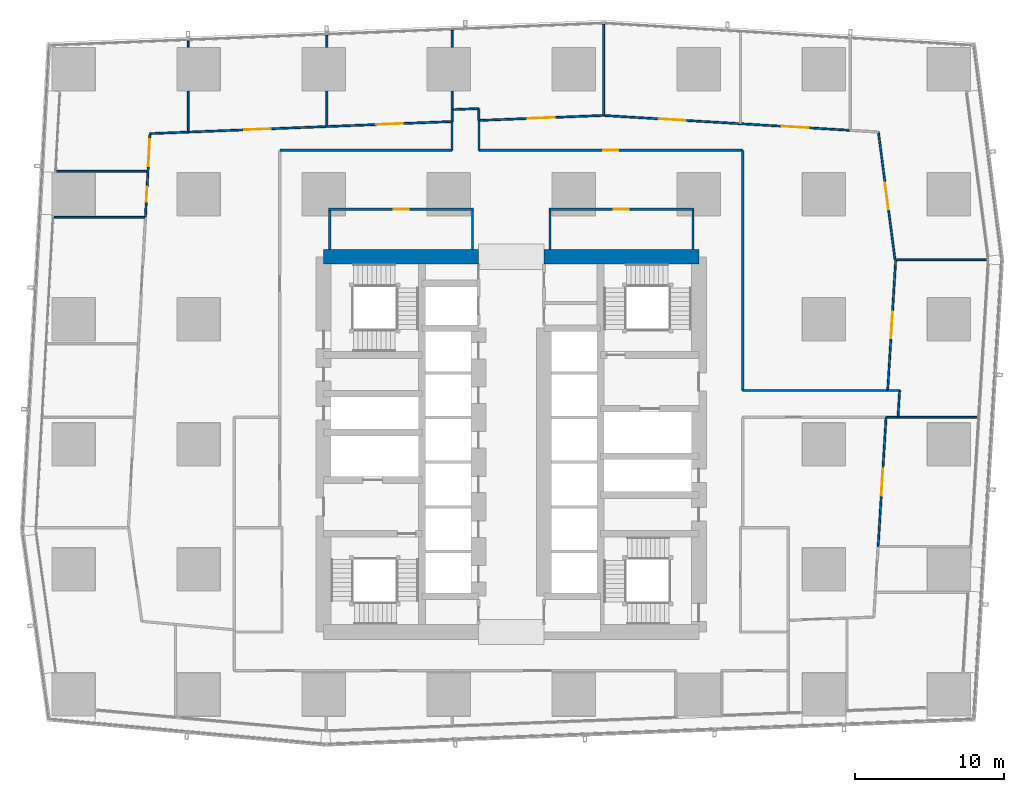
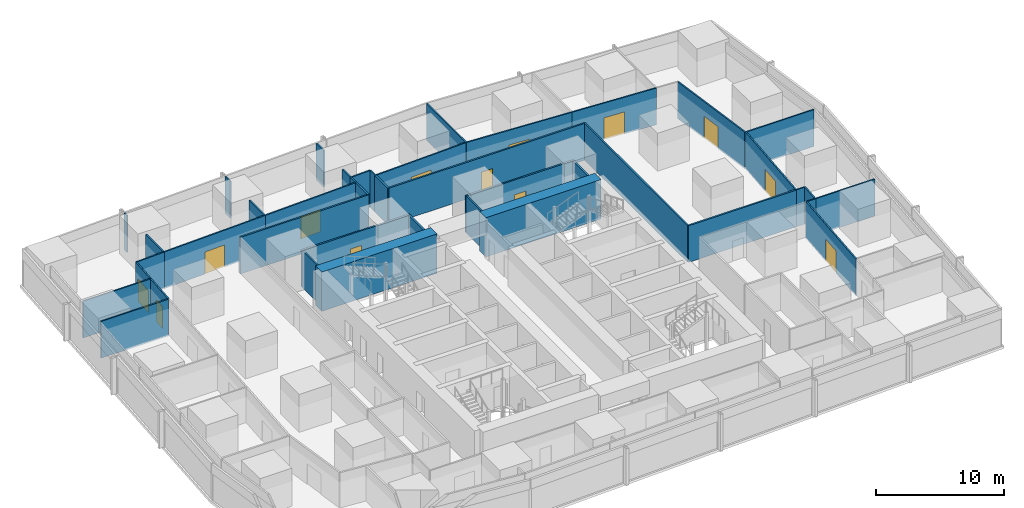
# One storey, part 31 of 40: 42 walls, 13 doors, 13 openings.
"""IFC4 building model written with IfcOpenShell, lengths in metres."""

from ifc_helpers import new_model, si_unit, direction, frame, frame_2d, origin, place, context, subcontext, project, spatial, rectangle, extrude, material, layer, layer_set, type_object, element, fill, save


model = new_model("IFC4")

# Units and contexts
model_context = context("Model", 3, precision=1e-05, world=origin(), true_north=direction((0.0, 1.0)))
body_context = subcontext(model_context, "Body", "Model", "MODEL_VIEW")
ifc_project = project(units=[si_unit("LENGTHUNIT", "METRE"), si_unit("AREAUNIT", "SQUARE_METRE"), si_unit("VOLUMEUNIT", "CUBIC_METRE"), si_unit("PLANEANGLEUNIT", "RADIAN"), si_unit("MASSUNIT", "GRAM", prefix="KILO")], contexts=[model_context])

# Site, building, storey
site_placement = place(None, origin())
site = spatial("IfcSite", under=ifc_project, at=site_placement, CompositionType="ELEMENT")
building_placement = place(site_placement, origin())
building = spatial("IfcBuilding", under=site, at=building_placement, Name="Rekha Terrace Tower", CompositionType="ELEMENT")
storey_placement = place(building_placement, frame((0.0, 0.0, 95.300048828125)))
storey = spatial("IfcBuildingStorey", under=building, at=storey_placement, Name="L23", CompositionType="ELEMENT", Elevation=95.300048828125)

# Walls
ifc_material_1 = material(Name="Concrete M70", Category="concrete")
ifc_layer_1 = layer(ifc_material_1, 1.0)
ifc_layer_set_1 = layer_set([ifc_layer_1], Name="Concrete M70")
wall_type_1 = type_object("IfcWallType", Name="SW2 1000 core outer shear wall", PredefinedType="SHEAR", material=ifc_layer_set_1)
wall_1_placement = place(storey_placement, frame((25.199951171875, 46.199951171875, 0.0), z_axis=(0.0, 0.0, 1.0), x_axis=(1.0, 0.0, 0.0)))
element("IfcWall", 1, at=wall_1_placement, inside=storey, type_object=wall_type_1, Name="Core wall N1 L23", PredefinedType="SHEAR", context=body_context, shape_type="SweptSolid", body=[
    extrude(rectangle(XDim=10.400146484375, YDim=1.0, at=frame_2d((5.2001953125, 0.0))), origin(), (0.0, 0.0, 1.0), 3.75),
])
wall_2_placement = place(storey_placement, frame((40.0, 46.199951171875, 0.0), z_axis=(0.0, 0.0, 1.0), x_axis=(1.0, 0.0, 0.0)))
element("IfcWall", 2, at=wall_2_placement, inside=storey, type_object=wall_type_1, Name="Core wall N2 L23", PredefinedType="SHEAR", context=body_context, shape_type="SweptSolid", body=[
    extrude(rectangle(XDim=10.39990234375, YDim=1.0, at=frame_2d((5.199951171875, 0.0))), origin(), (0.0, 0.0, 1.0), 3.75),
])

# Wall, opening, door
ifc_material_2 = material(Name="Concrete block masonry, 1 hour", Category="masonry")
ifc_layer_2 = layer(ifc_material_2, 0.14990234375)
ifc_layer_set_2 = layer_set([ifc_layer_2], Name="Concrete block masonry, 1 hour")
wall_type_2 = type_object("IfcWallType", Name="WP2 150 tenancy partition", PredefinedType="PARTITIONING", material=ifc_layer_set_2)
wall_3_placement = place(storey_placement, frame((40.324951171875, 49.39990234375, 0.0), z_axis=(0.0, 0.0, 1.0), x_axis=(1.0, 0.0, 0.0)))
wall_3 = element("IfcWall", 3, at=wall_3_placement, inside=storey, type_object=wall_type_2, Name="Women's WC wall L23", PredefinedType="PARTITIONING", context=body_context, shape_type="SweptSolid", body=[
    extrude(rectangle(XDim=9.75, YDim=0.14990234375, at=frame_2d((4.875, 0.0))), origin(), (0.0, 0.0, 1.0), 3.5),
])
opening_1_placement = place(wall_3_placement, frame((4.375, 0.0, 0.0)))
opening_1 = element("IfcOpeningElement", 4, at=opening_1_placement, cuts=wall_3, Name="Opening D3", PredefinedType="OPENING", context=body_context, shape_type="SweptSolid", body=[
    extrude(rectangle(XDim=1.0, YDim=2.10009765625, at=frame_2d((0.5, 1.050048828125))), frame((0.0, 0.0849609375, 0.0), z_axis=(0.0, -1.0, 0.0), x_axis=(1.0, 0.0, 0.0)), (0.0, 0.0, 1.0), 0.169921875),
])
ifc_material_3 = material(Name="Laminated timber fire door", Category="wood")
door_type_1 = type_object("IfcDoorType", Name="D3 1000x2100 WC door", OperationType="SINGLE_SWING_LEFT", PredefinedType="DOOR", material=ifc_material_3)
door_1_placement = place(opening_1_placement, origin())
door_1 = element("IfcDoor", 5, at=door_1_placement, inside=storey, type_object=door_type_1, Name="Door women's wc L23", OperationType="SINGLE_SWING_LEFT", OverallHeight=2.10009765625, OverallWidth=1.0, PredefinedType="DOOR", context=body_context, shape_type="SweptSolid", body=[
    extrude(rectangle(XDim=1.0, YDim=2.10009765625, at=frame_2d((0.5, 1.050048828125))), frame((0.0, 0.02490234375, 0.0), z_axis=(0.0, -1.0, 0.0), x_axis=(1.0, 0.0, 0.0)), (0.0, 0.0, 1.0), 0.050048828125),
])
fill(opening_1, door_1)

# Walls
for number, where, z_axis, x_axis, name in (
    (6, (40.39990234375, 46.699951171875, 0.0), (0.0, 0.0, 1.0), (0.0, 1.0, 0.0), "Women's WC wall L23"),
    (7, (50.0, 46.699951171875, 0.0), (0.0, 0.0, 1.0), (0.0, 1.0, 0.0), "Women's WC wall L23"),
):
    element("IfcWall", number, at=place(storey_placement, frame(where, z_axis=z_axis, x_axis=x_axis)), inside=storey, type_object=wall_type_2, Name=name, PredefinedType="PARTITIONING", context=body_context, shape_type="SweptSolid", body=[
        extrude(rectangle(XDim=2.625, YDim=0.14990234375, at=frame_2d((1.3125, 0.0))), origin(), (0.0, 0.0, 1.0), 3.5),
    ])

# Wall, opening, door
wall_4_placement = place(storey_placement, frame((25.52490234375, 49.39990234375, 0.0), z_axis=(0.0, 0.0, 1.0), x_axis=(1.0, 0.0, 0.0)))
wall_4 = element("IfcWall", 8, at=wall_4_placement, inside=storey, type_object=wall_type_2, Name="Women's WC wall L23", PredefinedType="PARTITIONING", context=body_context, shape_type="SweptSolid", body=[
    extrude(rectangle(XDim=9.75, YDim=0.14990234375, at=frame_2d((4.875, 0.0))), origin(), (0.0, 0.0, 1.0), 3.5),
])
opening_2_placement = place(wall_4_placement, frame((4.375, 0.0, 0.0)))
opening_2 = element("IfcOpeningElement", 9, at=opening_2_placement, cuts=wall_4, Name="Opening D3", PredefinedType="OPENING", context=body_context, shape_type="SweptSolid", body=[
    extrude(rectangle(XDim=1.0, YDim=2.10009765625, at=frame_2d((0.5, 1.050048828125))), frame((0.0, 0.0849609375, 0.0), z_axis=(0.0, -1.0, 0.0), x_axis=(1.0, 0.0, 0.0)), (0.0, 0.0, 1.0), 0.169921875),
])
door_2_placement = place(opening_2_placement, origin())
door_2 = element("IfcDoor", 10, at=door_2_placement, inside=storey, type_object=door_type_1, Name="Door women's wc L23", OperationType="SINGLE_SWING_LEFT", OverallHeight=2.10009765625, OverallWidth=1.0, PredefinedType="DOOR", context=body_context, shape_type="SweptSolid", body=[
    extrude(rectangle(XDim=1.0, YDim=2.10009765625, at=frame_2d((0.5, 1.050048828125))), frame((0.0, 0.02490234375, 0.0), z_axis=(0.0, -1.0, 0.0), x_axis=(1.0, 0.0, 0.0)), (0.0, 0.0, 1.0), 0.050048828125),
])
fill(opening_2, door_2)

# Walls
for number, where, z_axis, x_axis, name in (
    (11, (25.60009765625, 46.699951171875, 0.0), (0.0, 0.0, 1.0), (0.0, 1.0, 0.0), "Women's WC wall L23"),
    (12, (35.199951171875, 46.699951171875, 0.0), (0.0, 0.0, 1.0), (0.0, 1.0, 0.0), "Women's WC wall L23"),
):
    element("IfcWall", number, at=place(storey_placement, frame(where, z_axis=z_axis, x_axis=x_axis)), inside=storey, type_object=wall_type_2, Name=name, PredefinedType="PARTITIONING", context=body_context, shape_type="SweptSolid", body=[
        extrude(rectangle(XDim=2.625, YDim=0.14990234375, at=frame_2d((1.3125, 0.0))), origin(), (0.0, 0.0, 1.0), 3.5),
    ])
wall_5_placement = place(storey_placement, frame((63.087890625, 37.220947265625, 0.0), z_axis=(0.0, 0.0, 1.0), x_axis=(-1.0, 0.0, 0.0)))
element("IfcWall", 13, at=wall_5_placement, inside=storey, type_object=wall_type_2, Name="Partition L23-O1", PredefinedType="PARTITIONING", context=body_context, shape_type="SweptSolid", body=[
    extrude(rectangle(XDim=9.73779296875, YDim=0.14990234375, at=frame_2d((4.868896484375, 0.0))), origin(), (0.0, 0.0, 1.0), 3.5),
])
wall_6_placement = place(storey_placement, frame((53.35009765625, 37.220947265625, 0.0), z_axis=(0.0, 0.0, 1.0), x_axis=(0.0, 1.0, 0.0)))
element("IfcWall", 14, at=wall_6_placement, inside=storey, type_object=wall_type_2, Name="Partition L23-O1", PredefinedType="PARTITIONING", context=body_context, shape_type="SweptSolid", body=[
    extrude(rectangle(XDim=16.129150390625, YDim=0.14990234375, at=frame_2d((8.064453125, 0.0))), origin(), (0.0, 0.0, 1.0), 3.5),
])

# Wall, opening, door
wall_7_placement = place(storey_placement, frame((53.35009765625, 53.35009765625, 0.0), z_axis=(0.0, 0.0, 1.0), x_axis=(-1.0, 0.0, 0.0)))
wall_7 = element("IfcWall", 15, at=wall_7_placement, inside=storey, type_object=wall_type_2, Name="Partition L23-O1", PredefinedType="PARTITIONING", context=body_context, shape_type="SweptSolid", body=[
    extrude(rectangle(XDim=17.72412109375, YDim=0.14990234375, at=frame_2d((8.862060546875, 0.0))), origin(), (0.0, 0.0, 1.0), 3.5),
])
opening_3_placement = place(wall_7_placement, frame((8.362060546875, 0.0, 0.0)))
opening_3 = element("IfcOpeningElement", 16, at=opening_3_placement, cuts=wall_7, Name="Opening D9", PredefinedType="OPENING", context=body_context, shape_type="SweptSolid", body=[
    extrude(rectangle(XDim=1.0, YDim=2.10009765625, at=frame_2d((0.5, 1.050048828125))), frame((0.0, 0.0849609375, 0.0), z_axis=(0.0, -1.0, 0.0), x_axis=(1.0, 0.0, 0.0)), (0.0, 0.0, 1.0), 0.169921875),
])
ifc_material_4 = material(Name="Timber fire door", Category="wood")
door_type_2 = type_object("IfcDoorType", Name="D9 1000x2100 office door", OperationType="SINGLE_SWING_LEFT", PredefinedType="DOOR", material=ifc_material_4)
door_3_placement = place(opening_3_placement, origin())
door_3 = element("IfcDoor", 17, at=door_3_placement, inside=storey, type_object=door_type_2, Name="Door open-plan office L23", OperationType="SINGLE_SWING_LEFT", OverallHeight=2.10009765625, OverallWidth=1.0, PredefinedType="DOOR", context=body_context, shape_type="SweptSolid", body=[
    extrude(rectangle(XDim=1.0, YDim=2.10009765625, at=frame_2d((0.5, 1.050048828125))), frame((0.0, 0.02490234375, 0.0), z_axis=(0.0, -1.0, 0.0), x_axis=(1.0, 0.0, 0.0)), (0.0, 0.0, 1.0), 0.050048828125),
])
fill(opening_3, door_3)

# Walls
wall_8_placement = place(storey_placement, frame((35.6259765625, 53.35009765625, 0.0), z_axis=(0.0, 0.0, 1.0), x_axis=(0.0, 1.0, 0.0)))
element("IfcWall", 18, at=wall_8_placement, inside=storey, type_object=wall_type_2, Name="Partition L23-O1", PredefinedType="PARTITIONING", context=body_context, shape_type="SweptSolid", body=[
    extrude(rectangle(XDim=2.0078125, YDim=0.14990234375, at=frame_2d((1.00390625, 0.0))), origin(), (0.0, 0.0, 1.0), 3.5),
])
wall_9_placement = place(storey_placement, frame((33.825927734375, 55.285888671875, 0.0), z_axis=(0.0, 0.0, 1.0), x_axis=(0.0, -1.0, 0.0)))
element("IfcWall", 19, at=wall_9_placement, inside=storey, type_object=wall_type_2, Name="Partition L23-O1b", PredefinedType="PARTITIONING", context=body_context, shape_type="SweptSolid", body=[
    extrude(rectangle(XDim=1.935791015625, YDim=0.14990234375, at=frame_2d((0.9677734375, 0.0))), origin(), (0.0, 0.0, 1.0), 3.5),
])
wall_10_placement = place(storey_placement, frame((33.825927734375, 53.35009765625, 0.0), z_axis=(0.0, 0.0, 1.0), x_axis=(-1.0, 0.0, 0.0)))
element("IfcWall", 20, at=wall_10_placement, inside=storey, type_object=wall_type_2, Name="Partition L23-O1b", PredefinedType="PARTITIONING", context=body_context, shape_type="SweptSolid", body=[
    extrude(rectangle(XDim=11.575927734375, YDim=0.14990234375, at=frame_2d((5.7880859375, 0.0))), origin(), (0.0, 0.0, 1.0), 3.5),
])
ifc_material_5 = material(Name="Two layers of fire-rated gypsum board each side on steel studs, acoustic quilt, 1 hour", Category="steel")
ifc_layer_3 = layer(ifc_material_5, 0.125)
ifc_layer_set_3 = layer_set([ifc_layer_3], Name="Two layers of fire-rated gypsum board each side on steel studs, acoustic quilt, 1 hour")
wall_type_3 = type_object("IfcWallType", Name="WP3 125 office partition", PredefinedType="PARTITIONING", material=ifc_layer_set_3)
wall_11_placement = place(storey_placement, frame((69.110107421875, 35.425048828125, 0.0), z_axis=(0.0, 0.0, 1.0), x_axis=(-1.0, 0.0, 0.0)))
element("IfcWall", 21, at=wall_11_placement, inside=storey, type_object=wall_type_3, Name="Partition L23-02", PredefinedType="PARTITIONING", context=body_context, shape_type="SweptSolid", body=[
    extrude(rectangle(XDim=5.330078125, YDim=0.125, at=frame_2d((2.6650390625, 0.0))), origin(), (0.0, 0.0, 1.0), 3.5),
])
wall_12_placement = place(storey_placement, frame((63.780029296875, 35.425048828125, 0.0), z_axis=(0.0, 0.0, 1.0), x_axis=(0.06106040412, 0.998134072682, 0.0)))
element("IfcWall", 22, at=wall_12_placement, inside=storey, type_object=wall_type_3, Name="Partition L23-02", PredefinedType="PARTITIONING", context=body_context, shape_type="SweptSolid", body=[
    extrude(rectangle(XDim=1.79931640625, YDim=0.125, at=frame_2d((0.899658203125, 0.0))), origin(), (0.0, 0.0, 1.0), 3.5),
])
wall_13_placement = place(storey_placement, frame((63.889892578125, 37.220947265625, 0.0), z_axis=(0.0, 0.0, 1.0), x_axis=(-1.0, 0.0, 0.0)))
element("IfcWall", 23, at=wall_13_placement, inside=storey, type_object=wall_type_3, Name="Partition L23-02", PredefinedType="PARTITIONING", context=body_context, shape_type="SweptSolid", body=[
    extrude(rectangle(XDim=0.802001953125, YDim=0.125, at=frame_2d((0.40087890625, 0.0))), origin(), (0.0, 0.0, 1.0), 3.5),
])

# Wall, opening, door
wall_14_placement = place(storey_placement, frame((63.087890625, 37.220947265625, 0.0), z_axis=(0.0, 0.0, 1.0), x_axis=(0.061107808396, 0.998131171617, 0.0)))
wall_14 = element("IfcWall", 24, at=wall_14_placement, inside=storey, type_object=wall_type_3, Name="Partition L23-02", PredefinedType="PARTITIONING", context=body_context, shape_type="SweptSolid", body=[
    extrude(rectangle(XDim=8.805419921875, YDim=0.125, at=frame_2d((4.40283203125, 0.0))), origin(), (0.0, 0.0, 1.0), 3.5),
])
opening_4_placement = place(wall_14_placement, frame((3.4990234375, 0.0, 0.0)))
opening_4 = element("IfcOpeningElement", 25, at=opening_4_placement, cuts=wall_14, Name="Opening D8", PredefinedType="OPENING", context=body_context, shape_type="SweptSolid", body=[
    extrude(rectangle(XDim=1.800048828125, YDim=2.10009765625, at=frame_2d((0.89990234375, 1.050048828125))), frame((0.0, 0.072509765625, 0.0), z_axis=(0.0, -1.0, 0.0), x_axis=(1.0, 0.0, 0.0)), (0.0, 0.0, 1.0), 0.14501953125),
])
door_type_3 = type_object("IfcDoorType", Name="D8 1800x2100 double leaf door", OperationType="DOUBLE_DOOR_SINGLE_SWING", PredefinedType="DOOR", material=ifc_material_4)
door_4_placement = place(opening_4_placement, origin())
door_4 = element("IfcDoor", 26, at=door_4_placement, inside=storey, type_object=door_type_3, Name="Door training and meeting room L23", OperationType="DOUBLE_DOOR_SINGLE_SWING", OverallHeight=2.10009765625, OverallWidth=1.800048828125, PredefinedType="DOOR", context=body_context, shape_type="SweptSolid", body=[
    extrude(rectangle(XDim=1.800048828125, YDim=2.10009765625, at=frame_2d((0.89990234375, 1.050048828125))), frame((0.0, 0.02490234375, 0.0), z_axis=(0.0, -1.0, 0.0), x_axis=(1.0, 0.0, 0.0)), (0.0, 0.0, 1.0), 0.050048828125),
])
fill(opening_4, door_4)

# Wall
wall_15_placement = place(storey_placement, frame((63.68798828125, 46.0029296875, 0.0), z_axis=(0.0, 0.0, 1.0), x_axis=(1.0, 0.0, 0.0)))
element("IfcWall", 27, at=wall_15_placement, inside=storey, type_object=wall_type_3, Name="Partition L23-02", PredefinedType="PARTITIONING", context=body_context, shape_type="SweptSolid", body=[
    extrude(rectangle(XDim=6.06298828125, YDim=0.125, at=frame_2d((3.031494140625, 0.0))), origin(), (0.0, 0.0, 1.0), 3.5),
])

# Wall, opening, door
wall_16_placement = place(storey_placement, frame((63.577880859375, 46.012939453125, 0.0), z_axis=(0.0, 0.0, 1.0), x_axis=(-0.129029973766, 0.991640693936, 0.0)))
wall_16 = element("IfcWall", 28, at=wall_16_placement, inside=storey, type_object=wall_type_3, Name="Partition L23-03", PredefinedType="PARTITIONING", context=body_context, shape_type="SweptSolid", body=[
    extrude(rectangle(XDim=8.641357421875, YDim=0.125, at=frame_2d((4.32080078125, 0.0))), origin(), (0.0, 0.0, 1.0), 3.5),
])
opening_5_placement = place(wall_16_placement, frame((3.416015625, 0.0, 0.0)))
opening_5 = element("IfcOpeningElement", 29, at=opening_5_placement, cuts=wall_16, Name="Opening D8", PredefinedType="OPENING", context=body_context, shape_type="SweptSolid", body=[
    extrude(rectangle(XDim=1.800048828125, YDim=2.10009765625, at=frame_2d((0.89990234375, 1.050048828125))), frame((0.0, 0.072509765625, 0.0), z_axis=(0.0, -1.0, 0.0), x_axis=(1.0, 0.0, 0.0)), (0.0, 0.0, 1.0), 0.14501953125),
])
door_5_placement = place(opening_5_placement, origin())
door_5 = element("IfcDoor", 30, at=door_5_placement, inside=storey, type_object=door_type_3, Name="Door breakout lounge L23", OperationType="DOUBLE_DOOR_SINGLE_SWING", OverallHeight=2.10009765625, OverallWidth=1.800048828125, PredefinedType="DOOR", context=body_context, shape_type="SweptSolid", body=[
    extrude(rectangle(XDim=1.800048828125, YDim=2.10009765625, at=frame_2d((0.89990234375, 1.050048828125))), frame((0.0, 0.02490234375, 0.0), z_axis=(0.0, -1.0, 0.0), x_axis=(1.0, 0.0, 0.0)), (0.0, 0.0, 1.0), 0.050048828125),
])
fill(opening_5, door_5)

wall_17_placement = place(storey_placement, frame((60.56103515625, 54.696044921875, 0.0), z_axis=(0.0, 0.0, 1.0), x_axis=(-0.99820441017, 0.059899545218, 0.0)))
wall_17 = element("IfcWall", 31, at=wall_17_placement, inside=storey, type_object=wall_type_3, Name="Partition L23-04", PredefinedType="PARTITIONING", context=body_context, shape_type="SweptSolid", body=[
    extrude(rectangle(XDim=7.377197265625, YDim=0.125, at=frame_2d((3.6884765625, 0.0))), origin(), (0.0, 0.0, 1.0), 3.5),
])
opening_6_placement = place(wall_17_placement, frame((2.7890625, 0.0, 0.0)))
opening_6 = element("IfcOpeningElement", 32, at=opening_6_placement, cuts=wall_17, Name="Opening D8", PredefinedType="OPENING", context=body_context, shape_type="SweptSolid", body=[
    extrude(rectangle(XDim=1.800048828125, YDim=2.10009765625, at=frame_2d((0.89990234375, 1.050048828125))), frame((0.0, 0.072509765625, 0.0), z_axis=(0.0, -1.0, 0.0), x_axis=(1.0, 0.0, 0.0)), (0.0, 0.0, 1.0), 0.14501953125),
])
door_6_placement = place(opening_6_placement, origin())
door_6 = element("IfcDoor", 33, at=door_6_placement, inside=storey, type_object=door_type_3, Name="Door training and meeting room L23", OperationType="DOUBLE_DOOR_SINGLE_SWING", OverallHeight=2.10009765625, OverallWidth=1.800048828125, PredefinedType="DOOR", context=body_context, shape_type="SweptSolid", body=[
    extrude(rectangle(XDim=1.800048828125, YDim=2.10009765625, at=frame_2d((0.89990234375, 1.050048828125))), frame((0.0, 0.02490234375, 0.0), z_axis=(0.0, -1.0, 0.0), x_axis=(1.0, 0.0, 0.0)), (0.0, 0.0, 1.0), 0.050048828125),
])
fill(opening_6, door_6)

wall_18_placement = place(storey_placement, frame((53.196044921875, 55.137939453125, 0.0), z_axis=(0.0, 0.0, 1.0), x_axis=(-0.998195418224, 0.060049205128, 0.0)))
wall_18 = element("IfcWall", 34, at=wall_18_placement, inside=storey, type_object=wall_type_3, Name="Partition L23-05", PredefinedType="PARTITIONING", context=body_context, shape_type="SweptSolid", body=[
    extrude(rectangle(XDim=9.208740234375, YDim=0.125, at=frame_2d((4.6044921875, 0.0))), origin(), (0.0, 0.0, 1.0), 3.5),
])
opening_7_placement = place(wall_18_placement, frame((3.7041015625, 0.0, 0.0)))
opening_7 = element("IfcOpeningElement", 35, at=opening_7_placement, cuts=wall_18, Name="Opening D8", PredefinedType="OPENING", context=body_context, shape_type="SweptSolid", body=[
    extrude(rectangle(XDim=1.800048828125, YDim=2.10009765625, at=frame_2d((0.89990234375, 1.050048828125))), frame((0.0, 0.072509765625, 0.0), z_axis=(0.0, -1.0, 0.0), x_axis=(1.0, 0.0, 0.0)), (0.0, 0.0, 1.0), 0.14501953125),
])
door_7_placement = place(opening_7_placement, origin())
door_7 = element("IfcDoor", 36, at=door_7_placement, inside=storey, type_object=door_type_3, Name="Door training and meeting room L23", OperationType="DOUBLE_DOOR_SINGLE_SWING", OverallHeight=2.10009765625, OverallWidth=1.800048828125, PredefinedType="DOOR", context=body_context, shape_type="SweptSolid", body=[
    extrude(rectangle(XDim=1.800048828125, YDim=2.10009765625, at=frame_2d((0.89990234375, 1.050048828125))), frame((0.0, 0.02490234375, 0.0), z_axis=(0.0, -1.0, 0.0), x_axis=(1.0, 0.0, 0.0)), (0.0, 0.0, 1.0), 0.050048828125),
])
fill(opening_7, door_7)

# Walls
wall_19_placement = place(storey_placement, frame((44.00390625, 55.69091796875, 0.0), z_axis=(0.0, 0.0, 1.0), x_axis=(0.0, 1.0, 0.0)))
element("IfcWall", 37, at=wall_19_placement, inside=storey, type_object=wall_type_3, Name="Partition L23-05", PredefinedType="PARTITIONING", context=body_context, shape_type="SweptSolid", body=[
    extrude(rectangle(XDim=6.128173828125, YDim=0.125, at=frame_2d((3.06396484375, 0.0))), origin(), (0.0, 0.0, 1.0), 3.5),
])
wall_20_placement = place(storey_placement, frame((35.6259765625, 55.35791015625, 0.0), z_axis=(0.0, 0.0, 1.0), x_axis=(0.0, 1.0, 0.0)))
element("IfcWall", 38, at=wall_20_placement, inside=storey, type_object=wall_type_3, Name="Partition L23-06", PredefinedType="PARTITIONING", context=body_context, shape_type="SweptSolid", body=[
    extrude(rectangle(XDim=0.801025390625, YDim=0.125, at=frame_2d((0.400390625, 0.0))), origin(), (0.0, 0.0, 1.0), 3.5),
])
wall_21_placement = place(storey_placement, frame((35.6259765625, 56.158935546875, 0.0), z_axis=(0.0, 0.0, 1.0), x_axis=(-0.999198790024, -0.040022219017, 0.0)))
element("IfcWall", 39, at=wall_21_placement, inside=storey, type_object=wall_type_3, Name="Partition L23-06", PredefinedType="PARTITIONING", context=body_context, shape_type="SweptSolid", body=[
    extrude(rectangle(XDim=1.799560546875, YDim=0.125, at=frame_2d((0.89990234375, 0.0))), origin(), (0.0, 0.0, 1.0), 3.5),
])
wall_22_placement = place(storey_placement, frame((33.827880859375, 56.0869140625, 0.0), z_axis=(0.0, 0.0, 1.0), x_axis=(0.0, 1.0, 0.0)))
element("IfcWall", 40, at=wall_22_placement, inside=storey, type_object=wall_type_3, Name="Partition L23-06", PredefinedType="PARTITIONING", context=body_context, shape_type="SweptSolid", body=[
    extrude(rectangle(XDim=1.2431640625, YDim=0.125, at=frame_2d((0.62158203125, 0.0))), origin(), (0.0, 0.0, 1.0), 3.5),
])
wall_23_placement = place(storey_placement, frame((33.827880859375, 60.27001953125, 0.0), z_axis=(0.0, 0.0, 1.0), x_axis=(0.0, 1.0, 0.0)))
element("IfcWall", 41, at=wall_23_placement, inside=storey, type_object=wall_type_3, Name="Partition L23-06", PredefinedType="PARTITIONING", context=body_context, shape_type="SweptSolid", body=[
    extrude(rectangle(XDim=1.140869140625, YDim=0.125, at=frame_2d((0.5703125, 0.0))), origin(), (0.0, 0.0, 1.0), 3.5),
])

# Wall, opening, door
wall_24_placement = place(storey_placement, frame((43.94091796875, 55.69189453125, 0.0), z_axis=(0.0, 0.0, 1.0), x_axis=(-0.99919428992, -0.040134411551, 0.0)))
wall_24 = element("IfcWall", 42, at=wall_24_placement, inside=storey, type_object=wall_type_3, Name="Partition L23-06", PredefinedType="PARTITIONING", context=body_context, shape_type="SweptSolid", body=[
    extrude(rectangle(XDim=8.321533203125, YDim=0.125, at=frame_2d((4.16064453125, 0.0))), origin(), (0.0, 0.0, 1.0), 3.5),
])
opening_8_placement = place(wall_24_placement, frame((3.22998046875, 0.0, 0.0)))
opening_8 = element("IfcOpeningElement", 43, at=opening_8_placement, cuts=wall_24, Name="Opening D8", PredefinedType="OPENING", context=body_context, shape_type="SweptSolid", body=[
    extrude(rectangle(XDim=1.800048828125, YDim=2.10009765625, at=frame_2d((0.89990234375, 1.050048828125))), frame((0.0, 0.072509765625, 0.0), z_axis=(0.0, -1.0, 0.0), x_axis=(1.0, 0.0, 0.0)), (0.0, 0.0, 1.0), 0.14501953125),
])
door_8_placement = place(opening_8_placement, origin())
door_8 = element("IfcDoor", 44, at=door_8_placement, inside=storey, type_object=door_type_3, Name="Door training and meeting room L23", OperationType="DOUBLE_DOOR_SINGLE_SWING", OverallHeight=2.10009765625, OverallWidth=1.800048828125, PredefinedType="DOOR", context=body_context, shape_type="SweptSolid", body=[
    extrude(rectangle(XDim=1.800048828125, YDim=2.10009765625, at=frame_2d((0.89990234375, 1.050048828125))), frame((0.0, 0.02490234375, 0.0), z_axis=(0.0, -1.0, 0.0), x_axis=(1.0, 0.0, 0.0)), (0.0, 0.0, 1.0), 0.050048828125),
])
fill(opening_8, door_8)

wall_25_placement = place(storey_placement, frame((33.825927734375, 55.285888671875, 0.0), z_axis=(0.0, 0.0, 1.0), x_axis=(-0.99919887269, -0.04002015511, 0.0)))
wall_25 = element("IfcWall", 45, at=wall_25_placement, inside=storey, type_object=wall_type_3, Name="Partition L23-07", PredefinedType="PARTITIONING", context=body_context, shape_type="SweptSolid", body=[
    extrude(rectangle(XDim=8.418701171875, YDim=0.125, at=frame_2d((4.20947265625, 0.0))), origin(), (0.0, 0.0, 1.0), 3.5),
])
opening_9_placement = place(wall_25_placement, frame((3.30908203125, 0.0, 0.0)))
opening_9 = element("IfcOpeningElement", 46, at=opening_9_placement, cuts=wall_25, Name="Opening D8", PredefinedType="OPENING", context=body_context, shape_type="SweptSolid", body=[
    extrude(rectangle(XDim=1.800048828125, YDim=2.10009765625, at=frame_2d((0.89990234375, 1.050048828125))), frame((0.0, 0.072509765625, 0.0), z_axis=(0.0, -1.0, 0.0), x_axis=(1.0, 0.0, 0.0)), (0.0, 0.0, 1.0), 0.14501953125),
])
door_9_placement = place(opening_9_placement, origin())
door_9 = element("IfcDoor", 47, at=door_9_placement, inside=storey, type_object=door_type_3, Name="Door training and meeting room L23", OperationType="DOUBLE_DOOR_SINGLE_SWING", OverallHeight=2.10009765625, OverallWidth=1.800048828125, PredefinedType="DOOR", context=body_context, shape_type="SweptSolid", body=[
    extrude(rectangle(XDim=1.800048828125, YDim=2.10009765625, at=frame_2d((0.89990234375, 1.050048828125))), frame((0.0, 0.02490234375, 0.0), z_axis=(0.0, -1.0, 0.0), x_axis=(1.0, 0.0, 0.0)), (0.0, 0.0, 1.0), 0.050048828125),
])
fill(opening_9, door_9)

# Walls
wall_26_placement = place(storey_placement, frame((25.4140625, 54.948974609375, 0.0), z_axis=(0.0, 0.0, 1.0), x_axis=(0.0, 1.0, 0.0)))
element("IfcWall", 48, at=wall_26_placement, inside=storey, type_object=wall_type_3, Name="Partition L23-07", PredefinedType="PARTITIONING", context=body_context, shape_type="SweptSolid", body=[
    extrude(rectangle(XDim=2.381103515625, YDim=0.125, at=frame_2d((1.1904296875, 0.0))), origin(), (0.0, 0.0, 1.0), 3.5),
])
wall_27_placement = place(storey_placement, frame((25.4140625, 60.27001953125, 0.0), z_axis=(0.0, 0.0, 1.0), x_axis=(0.0, 1.0, 0.0)))
element("IfcWall", 49, at=wall_27_placement, inside=storey, type_object=wall_type_3, Name="Partition L23-07", PredefinedType="PARTITIONING", context=body_context, shape_type="SweptSolid", body=[
    extrude(rectangle(XDim=0.803955078125, YDim=0.125, at=frame_2d((0.40185546875, 0.0))), origin(), (0.0, 0.0, 1.0), 3.5),
])
wall_28_placement = place(storey_placement, frame((33.825927734375, 56.0859375, 0.0), z_axis=(0.0, 0.0, 1.0), x_axis=(0.0, -1.0, 0.0)))
element("IfcWall", 50, at=wall_28_placement, inside=storey, type_object=wall_type_3, Name="Partition L23-07", PredefinedType="PARTITIONING", context=body_context, shape_type="SweptSolid", body=[
    extrude(rectangle(XDim=0.800048828125, YDim=0.125, at=frame_2d((0.39990234375, 0.0))), origin(), (0.0, 0.0, 1.0), 3.5),
])

# Wall, opening, door
wall_29_placement = place(storey_placement, frame((25.4130859375, 54.948974609375, 0.0), z_axis=(0.0, 0.0, 1.0), x_axis=(-0.999198361773, -0.04003290935, 0.0)))
wall_29 = element("IfcWall", 51, at=wall_29_placement, inside=storey, type_object=wall_type_3, Name="Partition L23-08", PredefinedType="PARTITIONING", context=body_context, shape_type="SweptSolid", body=[
    extrude(rectangle(XDim=9.318603515625, YDim=0.125, at=frame_2d((4.6591796875, 0.0))), origin(), (0.0, 0.0, 1.0), 3.5),
])
opening_10_placement = place(wall_29_placement, frame((3.759033203125, 0.0, 0.0)))
opening_10 = element("IfcOpeningElement", 52, at=opening_10_placement, cuts=wall_29, Name="Opening D8", PredefinedType="OPENING", context=body_context, shape_type="SweptSolid", body=[
    extrude(rectangle(XDim=1.800048828125, YDim=2.10009765625, at=frame_2d((0.89990234375, 1.050048828125))), frame((0.0, 0.072509765625, 0.0), z_axis=(0.0, -1.0, 0.0), x_axis=(1.0, 0.0, 0.0)), (0.0, 0.0, 1.0), 0.14501953125),
])
door_10_placement = place(opening_10_placement, origin())
door_10 = element("IfcDoor", 53, at=door_10_placement, inside=storey, type_object=door_type_3, Name="Door training and meeting room L23", OperationType="DOUBLE_DOOR_SINGLE_SWING", OverallHeight=2.10009765625, OverallWidth=1.800048828125, PredefinedType="DOOR", context=body_context, shape_type="SweptSolid", body=[
    extrude(rectangle(XDim=1.800048828125, YDim=2.10009765625, at=frame_2d((0.89990234375, 1.050048828125))), frame((0.0, 0.02490234375, 0.0), z_axis=(0.0, -1.0, 0.0), x_axis=(1.0, 0.0, 0.0)), (0.0, 0.0, 1.0), 0.050048828125),
])
fill(opening_10, door_10)

# Walls
wall_30_placement = place(storey_placement, frame((16.10205078125, 54.575927734375, 0.0), z_axis=(0.0, 0.0, 1.0), x_axis=(0.0, 1.0, 0.0)))
element("IfcWall", 54, at=wall_30_placement, inside=storey, type_object=wall_type_3, Name="Partition L23-08", PredefinedType="PARTITIONING", context=body_context, shape_type="SweptSolid", body=[
    extrude(rectangle(XDim=2.754150390625, YDim=0.125, at=frame_2d((1.376953125, 0.0))), origin(), (0.0, 0.0, 1.0), 3.5),
])
wall_31_placement = place(storey_placement, frame((16.10205078125, 60.27001953125, 0.0), z_axis=(0.0, 0.0, 1.0), x_axis=(0.0, 1.0, 0.0)))
element("IfcWall", 55, at=wall_31_placement, inside=storey, type_object=wall_type_3, Name="Partition L23-08", PredefinedType="PARTITIONING", context=body_context, shape_type="SweptSolid", body=[
    extrude(rectangle(XDim=0.429931640625, YDim=0.125, at=frame_2d((0.21484375, 0.0))), origin(), (0.0, 0.0, 1.0), 3.5),
])
wall_32_placement = place(storey_placement, frame((13.3330078125, 51.943115234375, 0.0), z_axis=(0.0, 0.0, 1.0), x_axis=(-1.0, 0.0, 0.0)))
element("IfcWall", 56, at=wall_32_placement, inside=storey, type_object=wall_type_3, Name="Partition L23-09", PredefinedType="PARTITIONING", context=body_context, shape_type="SweptSolid", body=[
    extrude(rectangle(XDim=6.06591796875, YDim=0.125, at=frame_2d((3.032958984375, 0.0))), origin(), (0.0, 0.0, 1.0), 3.5),
])
wall_33_placement = place(storey_placement, frame((16.10107421875, 54.575927734375, 0.0), z_axis=(0.0, 0.0, 1.0), x_axis=(-0.999195025369, -0.040116097489, 0.0)))
element("IfcWall", 57, at=wall_33_placement, inside=storey, type_object=wall_type_3, Name="Partition L23-09", PredefinedType="PARTITIONING", context=body_context, shape_type="SweptSolid", body=[
    extrude(rectangle(XDim=2.568115234375, YDim=0.125, at=frame_2d((1.2841796875, 0.0))), origin(), (0.0, 0.0, 1.0), 3.5),
])

# Wall, opening, door
wall_34_placement = place(storey_placement, frame((13.534912109375, 54.472900390625, 0.0), z_axis=(0.0, 0.0, 1.0), x_axis=(-0.054838354895, -0.998495245273, 0.0)))
wall_34 = element("IfcWall", 58, at=wall_34_placement, inside=storey, type_object=wall_type_3, Name="Partition L23-09", PredefinedType="PARTITIONING", context=body_context, shape_type="SweptSolid", body=[
    extrude(rectangle(XDim=2.56884765625, YDim=0.125, at=frame_2d((1.284423828125, 0.0))), origin(), (0.0, 0.0, 1.0), 3.5),
])
opening_11_placement = place(wall_34_placement, frame((0.384033203125, 0.0, 0.0)))
opening_11 = element("IfcOpeningElement", 59, at=opening_11_placement, cuts=wall_34, Name="Opening D8", PredefinedType="OPENING", context=body_context, shape_type="SweptSolid", body=[
    extrude(rectangle(XDim=1.800048828125, YDim=2.10009765625, at=frame_2d((0.89990234375, 1.050048828125))), frame((0.0, 0.072509765625, 0.0), z_axis=(0.0, -1.0, 0.0), x_axis=(1.0, 0.0, 0.0)), (0.0, 0.0, 1.0), 0.14501953125),
])
door_11_placement = place(opening_11_placement, origin())
door_11 = element("IfcDoor", 60, at=door_11_placement, inside=storey, type_object=door_type_3, Name="Door breakout lounge L23", OperationType="DOUBLE_DOOR_SINGLE_SWING", OverallHeight=2.10009765625, OverallWidth=1.800048828125, PredefinedType="DOOR", context=body_context, shape_type="SweptSolid", body=[
    extrude(rectangle(XDim=1.800048828125, YDim=2.10009765625, at=frame_2d((0.89990234375, 1.050048828125))), frame((0.0, 0.02490234375, 0.0), z_axis=(0.0, -1.0, 0.0), x_axis=(1.0, 0.0, 0.0)), (0.0, 0.0, 1.0), 0.050048828125),
])
fill(opening_11, door_11)

wall_35_placement = place(storey_placement, frame((13.39404296875, 51.906982421875, 0.0), z_axis=(0.0, 0.0, 1.0), x_axis=(-0.054694766207, -0.998503120951, 0.0)))
wall_35 = element("IfcWall", 61, at=wall_35_placement, inside=storey, type_object=wall_type_3, Name="Partition L23-10", PredefinedType="PARTITIONING", context=body_context, shape_type="SweptSolid", body=[
    extrude(rectangle(XDim=3.017578125, YDim=0.125, at=frame_2d((1.5087890625, 0.0))), origin(), (0.0, 0.0, 1.0), 3.5),
])
opening_12_placement = place(wall_35_placement, frame((1.009033203125, 0.0, 0.0)))
opening_12 = element("IfcOpeningElement", 62, at=opening_12_placement, cuts=wall_35, Name="Opening D9", PredefinedType="OPENING", context=body_context, shape_type="SweptSolid", body=[
    extrude(rectangle(XDim=1.0, YDim=2.10009765625, at=frame_2d((0.5, 1.050048828125))), frame((0.0, 0.072509765625, 0.0), z_axis=(0.0, -1.0, 0.0), x_axis=(1.0, 0.0, 0.0)), (0.0, 0.0, 1.0), 0.14501953125),
])
door_12_placement = place(opening_12_placement, origin())
door_12 = element("IfcDoor", 63, at=door_12_placement, inside=storey, type_object=door_type_2, Name="Door training and meeting room L23", OperationType="SINGLE_SWING_LEFT", OverallHeight=2.10009765625, OverallWidth=1.0, PredefinedType="DOOR", context=body_context, shape_type="SweptSolid", body=[
    extrude(rectangle(XDim=1.0, YDim=2.10009765625, at=frame_2d((0.5, 1.050048828125))), frame((0.0, 0.02490234375, 0.0), z_axis=(0.0, -1.0, 0.0), x_axis=(1.0, 0.0, 0.0)), (0.0, 0.0, 1.0), 0.050048828125),
])
fill(opening_12, door_12)

# Wall
wall_36_placement = place(storey_placement, frame((13.1640625, 48.85693359375, 0.0), z_axis=(0.0, 0.0, 1.0), x_axis=(-1.0, 0.0, 0.0)))
element("IfcWall", 64, at=wall_36_placement, inside=storey, type_object=wall_type_3, Name="Partition L23-10", PredefinedType="PARTITIONING", context=body_context, shape_type="SweptSolid", body=[
    extrude(rectangle(XDim=6.066162109375, YDim=0.125, at=frame_2d((3.033203125, 0.0))), origin(), (0.0, 0.0, 1.0), 3.5),
])

# Wall, opening, door
wall_37_placement = place(storey_placement, frame((62.444091796875, 26.702880859375, 0.0), z_axis=(0.0, 0.0, 1.0), x_axis=(0.061130522571, 0.998129780745, 0.0)))
wall_37 = element("IfcWall", 65, at=wall_37_placement, inside=storey, type_object=wall_type_3, Name="Partition L23-17", PredefinedType="PARTITIONING", context=body_context, shape_type="SweptSolid", body=[
    extrude(rectangle(XDim=8.734375, YDim=0.125, at=frame_2d((4.3671875, 0.0))), origin(), (0.0, 0.0, 1.0), 3.5),
])
opening_13_placement = place(wall_37_placement, frame((3.467041015625, 0.0, 0.0)))
opening_13 = element("IfcOpeningElement", 66, at=opening_13_placement, cuts=wall_37, Name="Opening D8", PredefinedType="OPENING", context=body_context, shape_type="SweptSolid", body=[
    extrude(rectangle(XDim=1.800048828125, YDim=2.10009765625, at=frame_2d((0.89990234375, 1.050048828125))), frame((0.0, 0.072509765625, 0.0), z_axis=(0.0, -1.0, 0.0), x_axis=(1.0, 0.0, 0.0)), (0.0, 0.0, 1.0), 0.14501953125),
])
door_13_placement = place(opening_13_placement, origin())
door_13 = element("IfcDoor", 67, at=door_13_placement, inside=storey, type_object=door_type_3, Name="Door training and meeting room L23", OperationType="DOUBLE_DOOR_SINGLE_SWING", OverallHeight=2.10009765625, OverallWidth=1.800048828125, PredefinedType="DOOR", context=body_context, shape_type="SweptSolid", body=[
    extrude(rectangle(XDim=1.800048828125, YDim=2.10009765625, at=frame_2d((0.89990234375, 1.050048828125))), frame((0.0, 0.02490234375, 0.0), z_axis=(0.0, -1.0, 0.0), x_axis=(1.0, 0.0, 0.0)), (0.0, 0.0, 1.0), 0.050048828125),
])
fill(opening_13, door_13)

# Wall
wall_38_placement = place(storey_placement, frame((62.97802734375, 35.4208984375, 0.0), z_axis=(0.0, 0.0, 1.0), x_axis=(1.0, 0.0, 0.0)))
element("IfcWall", 68, at=wall_38_placement, inside=storey, type_object=wall_type_3, Name="Partition L23-17", PredefinedType="PARTITIONING", context=body_context, shape_type="SweptSolid", body=[
    extrude(rectangle(XDim=0.802001953125, YDim=0.125, at=frame_2d((0.40087890625, 0.0))), origin(), (0.0, 0.0, 1.0), 3.5),
])

save(model, "model.ifc")
